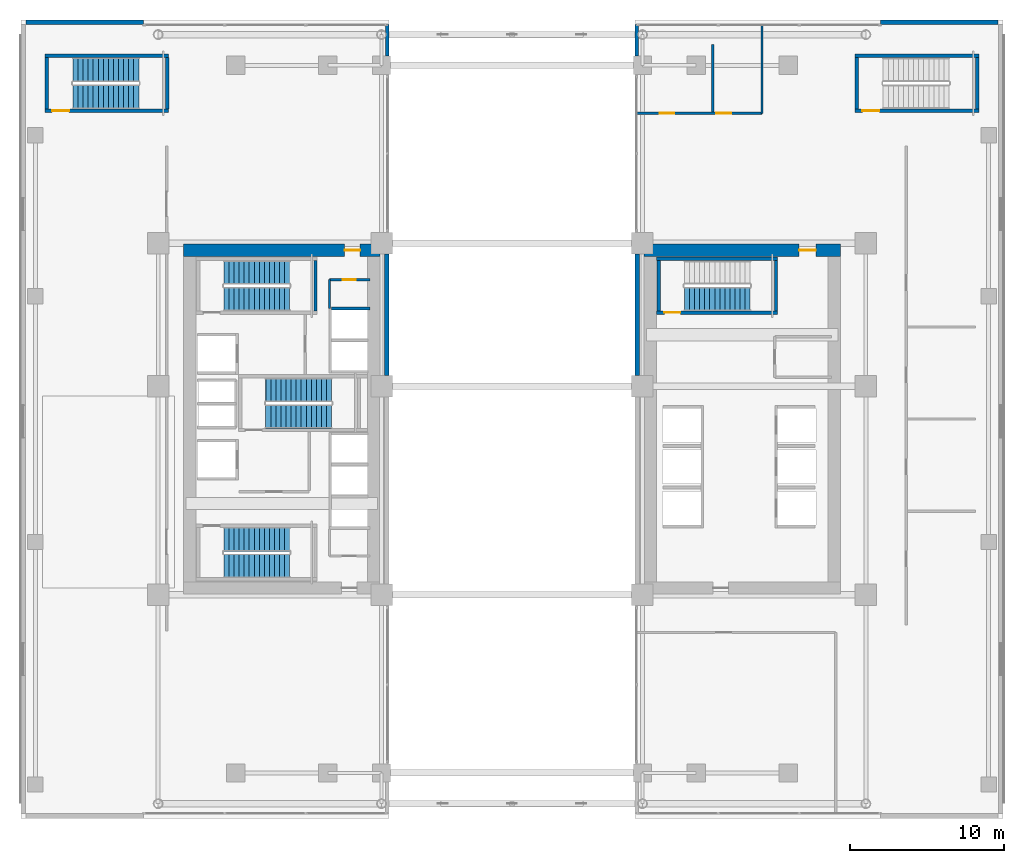
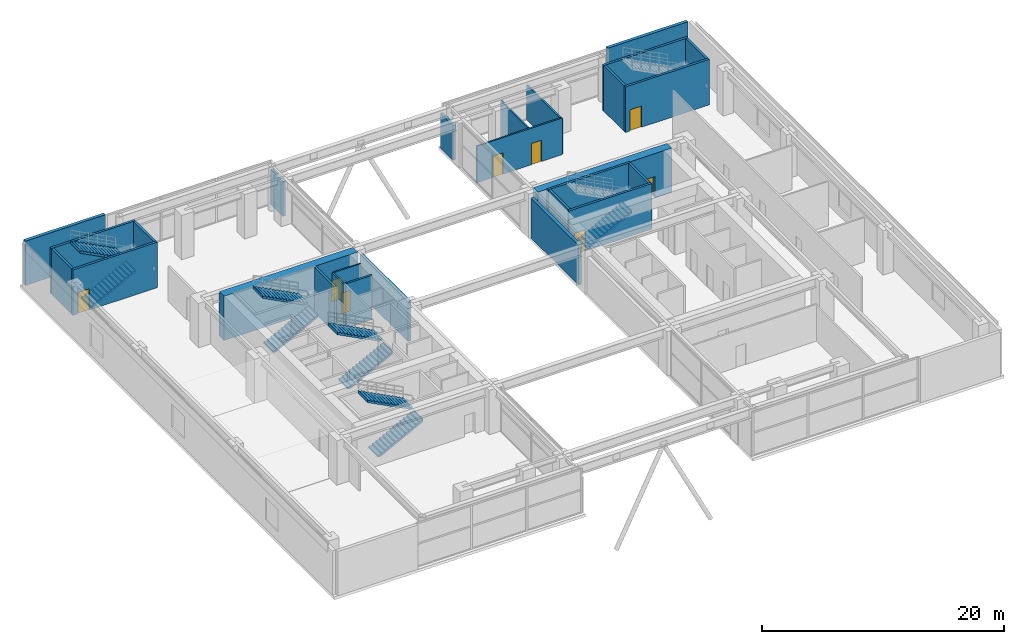
# One storey, part 24 of 30: 27 walls, 9 stair flights, 8 doors, 8 openings, 5 elements without a shape of their own.
"""IFC4 building model written with IfcOpenShell, lengths in metres."""

from ifc_helpers import new_model, si_unit, direction, frame, frame_2d, origin, place, context, subcontext, project, spatial, polyline, rectangle, outline, extrude, source, transform, mapped, material, layer, layer_set, type_object, element, fill, aggregate, save


model = new_model("IFC4")

# Units and contexts
model_context = context("Model", 3, precision=1e-05, world=origin(), true_north=direction((0.0, 1.0)))
body_context = subcontext(model_context, "Body", "Model", "MODEL_VIEW")
ifc_project = project(units=[si_unit("LENGTHUNIT", "METRE"), si_unit("AREAUNIT", "SQUARE_METRE"), si_unit("VOLUMEUNIT", "CUBIC_METRE"), si_unit("PLANEANGLEUNIT", "RADIAN"), si_unit("MASSUNIT", "GRAM", prefix="KILO")], contexts=[model_context])

# Site, building, storey
site_placement = place(None, origin())
site = spatial("IfcSite", under=ifc_project, at=site_placement, CompositionType="ELEMENT")
building_placement = place(site_placement, origin())
building = spatial("IfcBuilding", under=site, at=building_placement, Name="Ocotamira Hotel", CompositionType="ELEMENT")
storey_placement = place(building_placement, frame((0.0, 0.0, 19.199951171875)))
storey = spatial("IfcBuildingStorey", under=building, at=storey_placement, Name="L04", CompositionType="ELEMENT", Elevation=19.199951171875)

# Wall, opening, door
ifc_material_1 = material(Name="Concrete C60/75", Category="concrete")
ifc_layer_1 = layer(ifc_material_1, 0.800048828125)
ifc_layer_set_1 = layer_set([ifc_layer_1], Name="Concrete C60/75")
wall_type_1 = type_object("IfcWallType", Name="WL-CORE-800", PredefinedType="SHEAR", material=ifc_layer_set_1)
wall_1_placement = place(storey_placement, frame((10.60009765625, 37.0, 0.0), z_axis=(0.0, 0.0, 1.0), x_axis=(1.0, 0.0, 0.0)))
wall_1 = element("IfcWall", 1, at=wall_1_placement, inside=storey, type_object=wall_type_1, Name="L04 Shear Core Wall WCORE-N", PredefinedType="SHEAR", context=body_context, shape_type="SweptSolid", body=[
    extrude(rectangle(XDim=12.7998046875, YDim=0.800048828125, at=frame_2d((6.39990234375, 0.0))), origin(), (0.0, 0.0, 1.0), 4.47998046875),
])
opening_1_placement = place(wall_1_placement, frame((10.5, 0.0, 0.0)))
opening_1 = element("IfcOpeningElement", 2, at=opening_1_placement, cuts=wall_1, Name="Opening D-FR2", PredefinedType="OPENING", context=body_context, shape_type="SweptSolid", body=[
    extrude(rectangle(XDim=1.0, YDim=2.14990234375, at=frame_2d((0.5, 1.074951171875))), frame((0.0, 0.41015625, 0.0), z_axis=(0.0, -1.0, 0.0), x_axis=(1.0, 0.0, 0.0)), (0.0, 0.0, 1.0), 0.820068359375),
])
ifc_material_2 = material(Name="Fire-rated acoustic timber-veneer door", Category="wood")
door_type_1 = type_object("IfcDoorType", Name="DR-FIRE-1000", OperationType="NOTDEFINED", PredefinedType="DOOR", material=ifc_material_2)
shared_shape_1 = source(origin(), body_context, "Body", "SweptSolid", [
    extrude(rectangle(XDim=1.0, YDim=2.14990234375, at=frame_2d((0.5, 1.074951171875))), frame((0.0, 0.02490234375, 0.0), z_axis=(0.0, -1.0, 0.0), x_axis=(1.0, 0.0, 0.0)), (0.0, 0.0, 1.0), 0.050048828125),
])
door_1_placement = place(opening_1_placement, origin())
door_1 = element("IfcDoor", 3, at=door_1_placement, inside=storey, type_object=door_type_1, Name="L04 Door ID-L04-WLOB-N-D [ID-L04-WLOB-N-D]", OperationType="SINGLE_SWING_RIGHT", OverallHeight=2.14990234375, OverallWidth=1.0, PredefinedType="DOOR", context=body_context, shape_type="MappedRepresentation", body=[
    mapped(shared_shape_1, transform((0.0, 0.0, 0.0), scale=1.0)),
])
fill(opening_1, door_1)

wall_2_placement = place(storey_placement, frame((40.60009765625, 37.0, 0.0), z_axis=(0.0, 0.0, 1.0), x_axis=(1.0, 0.0, 0.0)))
wall_2 = element("IfcWall", 4, at=wall_2_placement, inside=storey, type_object=wall_type_1, Name="L04 Shear Core Wall ECORE-N", PredefinedType="SHEAR", context=body_context, shape_type="SweptSolid", body=[
    extrude(rectangle(XDim=12.7998046875, YDim=0.800048828125, at=frame_2d((6.39990234375, 0.0))), origin(), (0.0, 0.0, 1.0), 4.47998046875),
])
opening_2_placement = place(wall_2_placement, frame((10.10009765625, 0.0, 0.0)))
opening_2 = element("IfcOpeningElement", 5, at=opening_2_placement, cuts=wall_2, Name="Opening D-FR1", PredefinedType="OPENING", context=body_context, shape_type="SweptSolid", body=[
    extrude(rectangle(XDim=1.10009765625, YDim=2.14990234375, at=frame_2d((0.550048828125, 1.074951171875))), frame((0.0, 0.41015625, 0.0), z_axis=(0.0, -1.0, 0.0), x_axis=(1.0, 0.0, 0.0)), (0.0, 0.0, 1.0), 0.820068359375),
])
door_type_2 = type_object("IfcDoorType", Name="DR-FIRE-1100", OperationType="NOTDEFINED", PredefinedType="DOOR", material=ifc_material_2)
shared_shape_2 = source(origin(), body_context, "Body", "SweptSolid", [
    extrude(rectangle(XDim=1.10009765625, YDim=2.14990234375, at=frame_2d((0.550048828125, 1.074951171875))), frame((0.0, 0.02490234375, 0.0), z_axis=(0.0, -1.0, 0.0), x_axis=(1.0, 0.0, 0.0)), (0.0, 0.0, 1.0), 0.050048828125),
])
door_2_placement = place(opening_2_placement, origin())
door_2 = element("IfcDoor", 6, at=door_2_placement, inside=storey, type_object=door_type_2, Name="L04 Door ID-L04-ELOB-N-D [ID-L04-ELOB-N-D]", OperationType="SINGLE_SWING_LEFT", OverallHeight=2.14990234375, OverallWidth=1.10009765625, PredefinedType="DOOR", context=body_context, shape_type="MappedRepresentation", body=[
    mapped(shared_shape_2, transform((0.0, 0.0, 0.0), scale=1.0)),
])
fill(opening_2, door_2)

# Walls
ifc_material_3 = material(Name="Travertine-clad precast concrete C45/55", Category="masonry")
ifc_layer_2 = layer(ifc_material_3, 0.300048828125)
ifc_layer_set_2 = layer_set([ifc_layer_2], Name="Travertine-clad precast concrete C45/55")
wall_type_2 = type_object("IfcWallType", Name="WL-EXT-POD-300", PredefinedType="SOLIDWALL", material=ifc_layer_set_2)
for number, where, z_axis, x_axis, name in (
    (7, (0.35009765625, 51.85009765625, 0.0), (0.0, 0.0, 1.0), (1.0, 0.0, 0.0), "L04 N-West Podium Wall"),
    (8, (56.0, 51.85009765625, 0.0), (0.0, 0.0, 1.0), (1.0, 0.0, 0.0), "L04 N-East Podium Wall"),
):
    element("IfcWall", number, at=place(storey_placement, frame(where, z_axis=z_axis, x_axis=x_axis)), inside=storey, type_object=wall_type_2, Name=name, PredefinedType="SOLIDWALL", context=body_context, shape_type="SweptSolid", body=[
        extrude(rectangle(XDim=7.64990234375, YDim=0.300048828125, at=frame_2d((3.824951171875, 0.0))), origin(), (0.0, 0.0, 1.0), 4.47998046875),
    ])
wall_3_placement = place(storey_placement, frame((23.8798828125, 49.64990234375, 0.0), z_axis=(0.0, 0.0, 1.0), x_axis=(0.0, 1.0, 0.0)))
element("IfcWall", 9, at=wall_3_placement, inside=storey, type_object=wall_type_2, Name="L04 Giant Arch North Corner Cheek Wall AW", PredefinedType="SOLIDWALL", context=body_context, shape_type="SweptSolid", body=[
    extrude(rectangle(XDim=2.050048828125, YDim=0.239990234375, at=frame_2d((1.02490234375, 0.0))), origin(), (0.0, 0.0, 1.0), 3.531982421875),
])
wall_4_placement = place(storey_placement, frame((23.85009765625, 28.85009765625, 0.0), z_axis=(0.0, 0.0, 1.0), x_axis=(0.0, 1.0, 0.0)))
element("IfcWall", 10, at=wall_4_placement, inside=storey, type_object=wall_type_2, Name="L04 Giant Arch Core Cheek Wall AW-2", PredefinedType="SOLIDWALL", context=body_context, shape_type="SweptSolid", body=[
    extrude(rectangle(XDim=7.89990234375, YDim=0.300048828125, at=frame_2d((3.949951171875, 0.0))), origin(), (0.0, 0.0, 1.0), 4.02294921875),
])
wall_5_placement = place(storey_placement, frame((40.1201171875, 49.64990234375, 0.0), z_axis=(0.0, 0.0, 1.0), x_axis=(0.0, 1.0, 0.0)))
element("IfcWall", 11, at=wall_5_placement, inside=storey, type_object=wall_type_2, Name="L04 Giant Arch North Corner Cheek Wall AE", PredefinedType="SOLIDWALL", context=body_context, shape_type="SweptSolid", body=[
    extrude(rectangle(XDim=2.050048828125, YDim=0.239990234375, at=frame_2d((1.02490234375, 0.0))), origin(), (0.0, 0.0, 1.0), 3.531982421875),
])
wall_6_placement = place(storey_placement, frame((40.14990234375, 28.85009765625, 0.0), z_axis=(0.0, 0.0, 1.0), x_axis=(0.0, 1.0, 0.0)))
element("IfcWall", 12, at=wall_6_placement, inside=storey, type_object=wall_type_2, Name="L04 Giant Arch Core Cheek Wall AE-2", PredefinedType="SOLIDWALL", context=body_context, shape_type="SweptSolid", body=[
    extrude(rectangle(XDim=7.89990234375, YDim=0.300048828125, at=frame_2d((3.949951171875, 0.0))), origin(), (0.0, 0.0, 1.0), 4.02294921875),
])
ifc_material_4 = material(Name="Acoustic hospitality gypsum board partition", Category="gypsum")
ifc_layer_3 = layer(ifc_material_4, 0.14208984375)
ifc_layer_set_3 = layer_set([ifc_layer_3], Name="Acoustic hospitality gypsum board partition")
wall_type_3 = type_object("IfcWallType", Name="WL-PART-142", PredefinedType="PARTITIONING", material=ifc_layer_set_3)
wall_7_placement = place(storey_placement, frame((20.1201171875, 33.219970703125, 0.0), z_axis=(0.0, 0.0, 1.0), x_axis=(0.0, 1.0, 0.0)))
element("IfcWall", 13, at=wall_7_placement, inside=storey, type_object=wall_type_3, Name="L04 Interior Wall PW-L04-WC-NE-W2", PredefinedType="PARTITIONING", context=body_context, shape_type="SweptSolid", body=[
    extrude(rectangle(XDim=1.860107421875, YDim=0.14208984375, at=frame_2d((0.93017578125, 0.0))), origin(), (0.0, 0.0, 1.0), 4.47998046875),
])

# Wall, opening, door
wall_8_placement = place(storey_placement, frame((20.1201171875, 35.080078125, 0.0), z_axis=(0.0, 0.0, 1.0), x_axis=(1.0, 0.0, 0.0)))
wall_8 = element("IfcWall", 14, at=wall_8_placement, inside=storey, type_object=wall_type_3, Name="L04 Interior Wall PW-L04-WC-NE-N2", PredefinedType="PARTITIONING", context=body_context, shape_type="SweptSolid", body=[
    extrude(rectangle(XDim=2.6298828125, YDim=0.14208984375, at=frame_2d((1.31494140625, 0.0))), origin(), (0.0, 0.0, 1.0), 4.47998046875),
])
opening_3_placement = place(wall_8_placement, frame((0.85009765625, 0.0, 0.0)))
opening_3 = element("IfcOpeningElement", 15, at=opening_3_placement, cuts=wall_8, Name="Opening D-SV1", PredefinedType="OPENING", context=body_context, shape_type="SweptSolid", body=[
    extrude(rectangle(XDim=0.840087890625, YDim=2.10009765625, at=frame_2d((0.419921875, 1.050048828125))), frame((0.0, 0.0810546875, 0.0), z_axis=(0.0, -1.0, 0.0), x_axis=(1.0, 0.0, 0.0)), (0.0, 0.0, 1.0), 0.162109375),
])
ifc_material_5 = material(Name="Fire-rated painted steel service door", Category="steel")
door_type_3 = type_object("IfcDoorType", Name="DR-SERV-840", OperationType="NOTDEFINED", PredefinedType="DOOR", material=ifc_material_5)
shared_shape_3 = source(origin(), body_context, "Body", "SweptSolid", [
    extrude(rectangle(XDim=0.840087890625, YDim=2.10009765625, at=frame_2d((0.419921875, 1.050048828125))), frame((0.0, 0.02490234375, 0.0), z_axis=(0.0, -1.0, 0.0), x_axis=(1.0, 0.0, 0.0)), (0.0, 0.0, 1.0), 0.050048828125),
])
door_3_placement = place(opening_3_placement, origin())
door_3 = element("IfcDoor", 16, at=door_3_placement, inside=storey, type_object=door_type_3, Name="L04 Door ID-L04-WC-NE-D2 [ID-L04-WC-NE-D2]", OperationType="SINGLE_SWING_RIGHT", OverallHeight=2.10009765625, OverallWidth=0.840087890625, PredefinedType="DOOR", context=body_context, shape_type="MappedRepresentation", body=[
    mapped(shared_shape_3, transform((0.0, 0.0, 0.0), scale=1.0)),
])
fill(opening_3, door_3)

# Walls
ifc_layer_4 = layer(ifc_material_4, 0.14990234375)
ifc_layer_set_4 = layer_set([ifc_layer_4], Name="Acoustic hospitality gypsum board partition")
wall_type_4 = type_object("IfcWallType", Name="WL-PART-150", PredefinedType="PARTITIONING", material=ifc_layer_set_4)
wall_9_placement = place(storey_placement, frame((45.080078125, 46.0, 0.0), z_axis=(0.0, 0.0, 1.0), x_axis=(0.0, 1.0, 0.0)))
element("IfcWall", 17, at=wall_9_placement, inside=storey, type_object=wall_type_4, Name="L04 Interior Wall PW-L04-L04-EWCDIV", PredefinedType="PARTITIONING", context=body_context, shape_type="SweptSolid", body=[
    extrude(rectangle(XDim=4.39990234375, YDim=0.14990234375, at=frame_2d((2.199951171875, 0.0))), origin(), (0.0, 0.0, 1.0), 3.787109375),
])
wall_10_placement = place(storey_placement, frame((48.280029296875, 45.919921875, 0.0), z_axis=(0.0, 0.0, 1.0), x_axis=(0.0, 1.0, 0.0)))
element("IfcWall", 18, at=wall_10_placement, inside=storey, type_object=wall_type_4, Name="L04 Interior Wall PW-L04-L04-EWCE", PredefinedType="PARTITIONING", context=body_context, shape_type="SweptSolid", body=[
    extrude(rectangle(XDim=5.760009765625, YDim=0.14990234375, at=frame_2d((2.8798828125, 0.0))), origin(), (0.0, 0.0, 1.0), 3.552978515625),
])

# Wall, openings, doors
wall_11_placement = place(storey_placement, frame((40.1201171875, 45.919921875, 0.0), z_axis=(0.0, 0.0, 1.0), x_axis=(1.0, 0.0, 0.0)))
wall_11 = element("IfcWall", 19, at=wall_11_placement, inside=storey, type_object=wall_type_4, Name="L04 Interior Wall PW-L04-L04-EWCS", PredefinedType="PARTITIONING", context=body_context, shape_type="SweptSolid", body=[
    extrude(rectangle(XDim=8.159912109375, YDim=0.14990234375, at=frame_2d((4.080078125, 0.0))), origin(), (0.0, 0.0, 1.0), 3.700927734375),
])
opening_4_placement = place(wall_11_placement, frame((1.5, 0.0, 0.0)))
opening_4 = element("IfcOpeningElement", 20, at=opening_4_placement, cuts=wall_11, Name="Opening D-SV4", PredefinedType="OPENING", context=body_context, shape_type="SweptSolid", body=[
    extrude(rectangle(XDim=0.9599609375, YDim=2.14990234375, at=frame_2d((0.47998046875, 1.074951171875))), frame((0.0, 0.0849609375, 0.0), z_axis=(0.0, -1.0, 0.0), x_axis=(1.0, 0.0, 0.0)), (0.0, 0.0, 1.0), 0.169921875),
])
opening_5_placement = place(wall_11_placement, frame((5.199951171875, 0.0, 0.0)))
opening_5 = element("IfcOpeningElement", 21, at=opening_5_placement, cuts=wall_11, Name="Opening D-SV4", PredefinedType="OPENING", context=body_context, shape_type="SweptSolid", body=[
    extrude(rectangle(XDim=0.9599609375, YDim=2.14990234375, at=frame_2d((0.47998046875, 1.074951171875))), frame((0.0, 0.0849609375, 0.0), z_axis=(0.0, -1.0, 0.0), x_axis=(1.0, 0.0, 0.0)), (0.0, 0.0, 1.0), 0.169921875),
])
ifc_material_6 = material(Name="Fire-rated accessible walnut salon door", Category="wood")
door_type_4 = type_object("IfcDoorType", Name="DR-SERV-960", OperationType="NOTDEFINED", PredefinedType="DOOR", material=ifc_material_6)
shared_shape_4 = source(origin(), body_context, "Body", "SweptSolid", [
    extrude(rectangle(XDim=0.9599609375, YDim=2.14990234375, at=frame_2d((0.47998046875, 1.074951171875))), frame((0.0, 0.02490234375, 0.0), z_axis=(0.0, -1.0, 0.0), x_axis=(1.0, 0.0, 0.0)), (0.0, 0.0, 1.0), 0.050048828125),
])
door_4_placement = place(opening_4_placement, origin())
door_4 = element("IfcDoor", 22, at=door_4_placement, inside=storey, type_object=door_type_4, Name="L04 Door ID-L04-L04-EWCD1 [ID-L04-L04-EWCD1]", OperationType="SINGLE_SWING_LEFT", OverallHeight=2.14990234375, OverallWidth=0.9599609375, PredefinedType="DOOR", context=body_context, shape_type="MappedRepresentation", body=[
    mapped(shared_shape_4, transform((0.0, 0.0, 0.0), scale=1.0)),
])
fill(opening_4, door_4)
door_5_placement = place(opening_5_placement, origin())
door_5 = element("IfcDoor", 23, at=door_5_placement, inside=storey, type_object=door_type_4, Name="L04 Door ID-L04-L04-EAWCD [ID-L04-L04-EAWCD]", OperationType="SINGLE_SWING_RIGHT", OverallHeight=2.14990234375, OverallWidth=0.9599609375, PredefinedType="DOOR", context=body_context, shape_type="MappedRepresentation", body=[
    mapped(shared_shape_4, transform((0.0, 0.0, 0.0), scale=1.0)),
])
fill(opening_5, door_5)

# Walls
ifc_material_7 = material(Name="Fire-rated gypsum shaftliner board assembly", Category="gypsum")
ifc_layer_5 = layer(ifc_material_7, 0.179931640625)
ifc_layer_set_5 = layer_set([ifc_layer_5], Name="Fire-rated gypsum shaftliner board assembly")
wall_type_5 = type_object("IfcWallType", Name="WL-SHAFT-180", PredefinedType="SOLIDWALL", material=ifc_layer_set_5)
wall_12_placement = place(storey_placement, frame((20.25, 33.199951171875, 0.0), z_axis=(0.0, 0.0, 1.0), x_axis=(1.0, 0.0, 0.0)))
element("IfcWall", 24, at=wall_12_placement, inside=storey, type_object=wall_type_5, Name="L04 Interior Wall PW-L04-LFW-BANK-obs-N", PredefinedType="SOLIDWALL", context=body_context, shape_type="SweptSolid", body=[
    extrude(rectangle(XDim=2.5, YDim=0.179931640625, at=frame_2d((1.25, 0.0))), origin(), (0.0, 0.0, 1.0), 4.47998046875),
])
ifc_material_8 = material(Name="Concrete C50/60", Category="concrete")
ifc_layer_6 = layer(ifc_material_8, 0.219970703125)
ifc_layer_set_6 = layer_set([ifc_layer_6], Name="Concrete C50/60")
wall_type_6 = type_object("IfcWallType", Name="WL-STAIR-220", PredefinedType="SHEAR", material=ifc_layer_set_6)
wall_13_placement = place(storey_placement, frame((19.199951171875, 33.050048828125, 0.0), z_axis=(0.0, 0.0, 1.0), x_axis=(0.0, 1.0, 0.0)))
element("IfcWall", 25, at=wall_13_placement, inside=storey, type_object=wall_type_6, Name="L04 Stair Shaft Structural Wall ST-2-E", PredefinedType="SHEAR", context=body_context, shape_type="SweptSolid", body=[
    extrude(rectangle(XDim=3.280029296875, YDim=0.219970703125, at=frame_2d((1.64013671875, 0.0))), origin(), (0.0, 0.0, 1.0), 4.60009765625),
])

# Wall, opening, door
wall_14_placement = place(storey_placement, frame((41.39990234375, 32.93994140625, 0.0), z_axis=(0.0, 0.0, 1.0), x_axis=(1.0, 0.0, 0.0)))
wall_14 = element("IfcWall", 26, at=wall_14_placement, inside=storey, type_object=wall_type_6, Name="L04 Stair Shaft Structural Wall ST-4-S", PredefinedType="SHEAR", context=body_context, shape_type="SweptSolid", body=[
    extrude(rectangle(XDim=7.91015625, YDim=0.219970703125, at=frame_2d((3.955078125, 0.0))), origin(), (0.0, 0.0, 1.0), 4.60009765625),
])
opening_6_placement = place(wall_14_placement, frame((0.52001953125, 0.0, 0.0)))
opening_6 = element("IfcOpeningElement", 27, at=opening_6_placement, cuts=wall_14, Name="Opening D-ST2", PredefinedType="OPENING", context=body_context, shape_type="SweptSolid", body=[
    extrude(rectangle(XDim=1.050048828125, YDim=2.14990234375, at=frame_2d((0.52490234375, 1.074951171875))), frame((0.0, 0.1201171875, 0.0), z_axis=(0.0, -1.0, 0.0), x_axis=(1.0, 0.0, 0.0)), (0.0, 0.0, 1.0), 0.239990234375),
])
ifc_material_9 = material(Name="Insulated painted hollow-metal fire exit door", Category="steel")
door_type_5 = type_object("IfcDoorType", Name="DR-STAIR-1050", OperationType="NOTDEFINED", PredefinedType="DOOR", material=ifc_material_9)
shared_shape_5 = source(origin(), body_context, "Body", "SweptSolid", [
    extrude(rectangle(XDim=1.050048828125, YDim=2.14990234375, at=frame_2d((0.52490234375, 1.074951171875))), frame((0.0, 0.02490234375, 0.0), z_axis=(0.0, -1.0, 0.0), x_axis=(1.0, 0.0, 0.0)), (0.0, 0.0, 1.0), 0.050048828125),
])
door_6_placement = place(opening_6_placement, origin())
door_6 = element("IfcDoor", 28, at=door_6_placement, inside=storey, type_object=door_type_5, Name="L04 Door ID-L04-STD-ST-4 [ID-L04-STD-ST-4]", OperationType="SINGLE_SWING_RIGHT", OverallHeight=2.14990234375, OverallWidth=1.050048828125, PredefinedType="DOOR", context=body_context, shape_type="MappedRepresentation", body=[
    mapped(shared_shape_5, transform((0.0, 0.0, 0.0), scale=1.0)),
])
fill(opening_6, door_6)

# Walls
wall_15_placement = place(storey_placement, frame((41.39990234375, 36.43994140625, 0.0), z_axis=(0.0, 0.0, 1.0), x_axis=(1.0, 0.0, 0.0)))
element("IfcWall", 29, at=wall_15_placement, inside=storey, type_object=wall_type_6, Name="L04 Stair Shaft Structural Wall ST-4-N", PredefinedType="SHEAR", context=body_context, shape_type="SweptSolid", body=[
    extrude(rectangle(XDim=7.91015625, YDim=0.219970703125, at=frame_2d((3.955078125, 0.0))), origin(), (0.0, 0.0, 1.0), 4.60009765625),
])
for number, where, z_axis, x_axis, name in (
    (30, (41.56005859375, 33.050048828125, 0.0), (0.0, 0.0, 1.0), (0.0, 1.0, 0.0), "L04 Stair Shaft Structural Wall ST-4-W"),
    (31, (49.199951171875, 33.050048828125, 0.0), (0.0, 0.0, 1.0), (0.0, 1.0, 0.0), "L04 Stair Shaft Structural Wall ST-4-E"),
):
    element("IfcWall", number, at=place(storey_placement, frame(where, z_axis=z_axis, x_axis=x_axis)), inside=storey, type_object=wall_type_6, Name=name, PredefinedType="SHEAR", context=body_context, shape_type="SweptSolid", body=[
        extrude(rectangle(XDim=3.280029296875, YDim=0.219970703125, at=frame_2d((1.64013671875, 0.0))), origin(), (0.0, 0.0, 1.0), 4.60009765625),
    ])

# Wall, opening, door
wall_16_placement = place(storey_placement, frame((1.580078125, 46.090087890625, 0.0), z_axis=(0.0, 0.0, 1.0), x_axis=(1.0, 0.0, 0.0)))
wall_16 = element("IfcWall", 32, at=wall_16_placement, inside=storey, type_object=wall_type_6, Name="L04 Stair Shaft Structural Wall ST-5-S", PredefinedType="SHEAR", context=body_context, shape_type="SweptSolid", body=[
    extrude(rectangle(XDim=8.059814453125, YDim=0.219970703125, at=frame_2d((4.02978515625, 0.0))), origin(), (0.0, 0.0, 1.0), 4.60009765625),
])
opening_7_placement = place(wall_16_placement, frame((0.469970703125, 0.0, 0.0)))
opening_7 = element("IfcOpeningElement", 33, at=opening_7_placement, cuts=wall_16, Name="Opening D-ST1", PredefinedType="OPENING", context=body_context, shape_type="SweptSolid", body=[
    extrude(rectangle(XDim=1.10009765625, YDim=2.14990234375, at=frame_2d((0.550048828125, 1.074951171875))), frame((0.0, 0.1201171875, 0.0), z_axis=(0.0, -1.0, 0.0), x_axis=(1.0, 0.0, 0.0)), (0.0, 0.0, 1.0), 0.239990234375),
])
door_type_6 = type_object("IfcDoorType", Name="DR-STAIR-1100", OperationType="NOTDEFINED", PredefinedType="DOOR", material=ifc_material_9)
door_7_placement = place(opening_7_placement, origin())
door_7 = element("IfcDoor", 34, at=door_7_placement, inside=storey, type_object=door_type_6, Name="L04 Door ID-L04-STD-ST-5 [ID-L04-STD-ST-5]", OperationType="SINGLE_SWING_LEFT", OverallHeight=2.14990234375, OverallWidth=1.10009765625, PredefinedType="DOOR", context=body_context, shape_type="MappedRepresentation", body=[
    mapped(shared_shape_2, transform((0.0, 0.0, 0.0), scale=1.0)),
])
fill(opening_7, door_7)

# Walls
wall_17_placement = place(storey_placement, frame((1.580078125, 49.669921875, 0.0), z_axis=(0.0, 0.0, 1.0), x_axis=(1.0, 0.0, 0.0)))
element("IfcWall", 35, at=wall_17_placement, inside=storey, type_object=wall_type_6, Name="L04 Stair Shaft Structural Wall ST-5-N", PredefinedType="SHEAR", context=body_context, shape_type="SweptSolid", body=[
    extrude(rectangle(XDim=8.059814453125, YDim=0.219970703125, at=frame_2d((4.02978515625, 0.0))), origin(), (0.0, 0.0, 1.0), 4.60009765625),
])
for number, where, z_axis, x_axis, name in (
    (36, (1.68994140625, 46.199951171875, 0.0), (0.0, 0.0, 1.0), (0.0, 1.0, 0.0), "L04 Stair Shaft Structural Wall ST-5-W"),
    (37, (9.530029296875, 46.199951171875, 0.0), (0.0, 0.0, 1.0), (0.0, 1.0, 0.0), "L04 Stair Shaft Structural Wall ST-5-E"),
):
    element("IfcWall", number, at=place(storey_placement, frame(where, z_axis=z_axis, x_axis=x_axis)), inside=storey, type_object=wall_type_6, Name=name, PredefinedType="SHEAR", context=body_context, shape_type="SweptSolid", body=[
        extrude(rectangle(XDim=3.360107421875, YDim=0.219970703125, at=frame_2d((1.68017578125, 0.0))), origin(), (0.0, 0.0, 1.0), 4.60009765625),
    ])

# Wall, opening, door
wall_18_placement = place(storey_placement, frame((54.360107421875, 46.090087890625, 0.0), z_axis=(0.0, 0.0, 1.0), x_axis=(1.0, 0.0, 0.0)))
wall_18 = element("IfcWall", 38, at=wall_18_placement, inside=storey, type_object=wall_type_6, Name="L04 Stair Shaft Structural Wall ST-6-S", PredefinedType="SHEAR", context=body_context, shape_type="SweptSolid", body=[
    extrude(rectangle(XDim=8.059814453125, YDim=0.219970703125, at=frame_2d((4.02978515625, 0.0))), origin(), (0.0, 0.0, 1.0), 4.60009765625),
])
opening_8_placement = place(wall_18_placement, frame((0.469970703125, 0.0, 0.0)))
opening_8 = element("IfcOpeningElement", 39, at=opening_8_placement, cuts=wall_18, Name="Opening D-ST1", PredefinedType="OPENING", context=body_context, shape_type="SweptSolid", body=[
    extrude(rectangle(XDim=1.10009765625, YDim=2.14990234375, at=frame_2d((0.550048828125, 1.074951171875))), frame((0.0, 0.1201171875, 0.0), z_axis=(0.0, -1.0, 0.0), x_axis=(1.0, 0.0, 0.0)), (0.0, 0.0, 1.0), 0.239990234375),
])
door_8_placement = place(opening_8_placement, origin())
door_8 = element("IfcDoor", 40, at=door_8_placement, inside=storey, type_object=door_type_6, Name="L04 Door ID-L04-STD-ST-6 [ID-L04-STD-ST-6]", OperationType="SINGLE_SWING_RIGHT", OverallHeight=2.14990234375, OverallWidth=1.10009765625, PredefinedType="DOOR", context=body_context, shape_type="MappedRepresentation", body=[
    mapped(shared_shape_2, transform((0.0, 0.0, 0.0), scale=1.0)),
])
fill(opening_8, door_8)

# Walls
wall_19_placement = place(storey_placement, frame((54.360107421875, 49.669921875, 0.0), z_axis=(0.0, 0.0, 1.0), x_axis=(1.0, 0.0, 0.0)))
element("IfcWall", 41, at=wall_19_placement, inside=storey, type_object=wall_type_6, Name="L04 Stair Shaft Structural Wall ST-6-N", PredefinedType="SHEAR", context=body_context, shape_type="SweptSolid", body=[
    extrude(rectangle(XDim=8.059814453125, YDim=0.219970703125, at=frame_2d((4.02978515625, 0.0))), origin(), (0.0, 0.0, 1.0), 4.60009765625),
])
for number, where, z_axis, x_axis, name in (
    (42, (54.469970703125, 46.199951171875, 0.0), (0.0, 0.0, 1.0), (0.0, 1.0, 0.0), "L04 Stair Shaft Structural Wall ST-6-W"),
    (43, (62.31005859375, 46.199951171875, 0.0), (0.0, 0.0, 1.0), (0.0, 1.0, 0.0), "L04 Stair Shaft Structural Wall ST-6-E"),
):
    element("IfcWall", number, at=place(storey_placement, frame(where, z_axis=z_axis, x_axis=x_axis)), inside=storey, type_object=wall_type_6, Name=name, PredefinedType="SHEAR", context=body_context, shape_type="SweptSolid", body=[
        extrude(rectangle(XDim=3.360107421875, YDim=0.219970703125, at=frame_2d((1.68017578125, 0.0))), origin(), (0.0, 0.0, 1.0), 4.60009765625),
    ])

# Stair, stair flights
ifc_material_10 = material(Name="Concrete C40/50", Category="concrete")
stair_type_1 = type_object("IfcStairType", Name="ST-CORE-1560", PredefinedType="HALF_TURN_STAIR", material=ifc_material_10)
stair_1_placement = place(storey_placement, origin())
stair_1 = element("IfcStair", 44, at=stair_1_placement, inside=storey, type_object=stair_type_1, Name="L04 Exit Stair ST-1", PredefinedType="HALF_TURN_STAIR")
stair_flight_type_1 = type_object("IfcStairFlightType", Name="STF-CORE-1560", PredefinedType="STRAIGHT", material=ifc_material_10)
shared_shape_6 = source(origin(), body_context, "Body", "SweptSolid", [
    extrude(outline(polyline([(-0.00390625, 0.0), (-0.00390625, 0.17138671875), (0.330078125, 0.17138671875), (0.330078125, 0.3427734375), (0.659912109375, 0.3427734375), (0.659912109375, 0.514404296875), (0.989990234375, 0.514404296875), (0.989990234375, 0.685791015625), (1.320068359375, 0.685791015625), (1.320068359375, 0.857177734375), (1.64990234375, 0.857177734375), (1.64990234375, 1.028564453125), (1.97998046875, 1.028564453125), (1.97998046875, 1.199951171875), (2.31005859375, 1.199951171875), (2.31005859375, 1.371337890625), (2.639892578125, 1.371337890625), (2.639892578125, 1.54296875), (2.969970703125, 1.54296875), (2.969970703125, 1.71435546875), (3.300048828125, 1.71435546875), (3.300048828125, 1.8857421875), (3.6298828125, 1.8857421875), (3.6298828125, 2.05712890625), (3.9599609375, 2.05712890625), (3.9599609375, 2.228515625), (4.2900390625, 2.228515625), (4.2900390625, 2.39990234375), (4.2939453125, 2.39990234375), (4.2939453125, 2.0595703125), (0.3251953125, 0.0), (-0.00390625, 0.0)])), frame((0.0, 0.780029296875, 0.0), z_axis=(0.0, -1.0, 0.0), x_axis=(1.0, 0.0, 0.0)), (0.0, 0.0, 1.0), 1.56005859375),
])
stair_flight_1_placement = place(storey_placement, frame((13.22998046875, 16.449951171875, 0.0), z_axis=(0.0, 0.0, 1.0), x_axis=(1.0, 0.0, 0.0)))
stair_flight_1 = element("IfcStairFlight", 45, at=stair_flight_1_placement, type_object=stair_flight_type_1, Name="ST-1 flight 1", NumberOfRisers=14, NumberOfTreads=13, PredefinedType="STRAIGHT", RiserHeight=0.171428571, TreadLength=0.33, context=body_context, shape_type="MappedRepresentation", body=[
    mapped(shared_shape_6, transform((0.0, 0.0, 0.0), scale=1.0)),
])
stair_flight_2_placement = place(storey_placement, frame((17.52001953125, 18.169921875, 2.400146484375), z_axis=(0.0, 0.0, 1.0), x_axis=(-1.0, 0.0, 0.0)))
stair_flight_2 = element("IfcStairFlight", 46, at=stair_flight_2_placement, type_object=stair_flight_type_1, Name="ST-1 flight 2", NumberOfRisers=14, NumberOfTreads=13, PredefinedType="STRAIGHT", RiserHeight=0.171428571, TreadLength=0.33, context=body_context, shape_type="MappedRepresentation", body=[
    mapped(shared_shape_6, transform((0.0, 0.0, 0.0), scale=1.0)),
])
aggregate(stair_1, [stair_flight_1, stair_flight_2])

stair_2_placement = place(storey_placement, origin())
stair_2 = element("IfcStair", 47, at=stair_2_placement, inside=storey, type_object=stair_type_1, Name="L04 Exit Stair ST-2", PredefinedType="HALF_TURN_STAIR")
stair_flight_3_placement = place(storey_placement, frame((13.22998046875, 33.830078125, 0.0), z_axis=(0.0, 0.0, 1.0), x_axis=(1.0, 0.0, 0.0)))
stair_flight_3 = element("IfcStairFlight", 48, at=stair_flight_3_placement, type_object=stair_flight_type_1, Name="ST-2 flight 1", NumberOfRisers=14, NumberOfTreads=13, PredefinedType="STRAIGHT", RiserHeight=0.171428571, TreadLength=0.33, context=body_context, shape_type="MappedRepresentation", body=[
    mapped(shared_shape_6, transform((0.0, 0.0, 0.0), scale=1.0)),
])
stair_flight_4_placement = place(storey_placement, frame((17.52001953125, 35.550048828125, 2.400146484375), z_axis=(0.0, 0.0, 1.0), x_axis=(-1.0, 0.0, 0.0)))
stair_flight_4 = element("IfcStairFlight", 49, at=stair_flight_4_placement, type_object=stair_flight_type_1, Name="ST-2 flight 2", NumberOfRisers=14, NumberOfTreads=13, PredefinedType="STRAIGHT", RiserHeight=0.171428571, TreadLength=0.33, context=body_context, shape_type="MappedRepresentation", body=[
    mapped(shared_shape_6, transform((0.0, 0.0, 0.0), scale=1.0)),
])
aggregate(stair_2, [stair_flight_3, stair_flight_4])

stair_3_placement = place(storey_placement, origin())
stair_3 = element("IfcStair", 50, at=stair_3_placement, inside=storey, type_object=stair_type_1, Name="L04 Exit Stair ST-3", PredefinedType="HALF_TURN_STAIR")
stair_flight_5_placement = place(storey_placement, frame((15.9599609375, 26.179931640625, 0.0), z_axis=(0.0, 0.0, 1.0), x_axis=(1.0, 0.0, 0.0)))
stair_flight_5 = element("IfcStairFlight", 51, at=stair_flight_5_placement, type_object=stair_flight_type_1, Name="ST-3 flight 1", NumberOfRisers=14, NumberOfTreads=13, PredefinedType="STRAIGHT", RiserHeight=0.171428571, TreadLength=0.33, context=body_context, shape_type="MappedRepresentation", body=[
    mapped(shared_shape_6, transform((0.0, 0.0, 0.0), scale=1.0)),
])
stair_flight_6_placement = place(storey_placement, frame((20.25, 27.89990234375, 2.400146484375), z_axis=(0.0, 0.0, 1.0), x_axis=(-1.0, 0.0, 0.0)))
stair_flight_6 = element("IfcStairFlight", 52, at=stair_flight_6_placement, type_object=stair_flight_type_1, Name="ST-3 flight 2", NumberOfRisers=14, NumberOfTreads=13, PredefinedType="STRAIGHT", RiserHeight=0.171428571, TreadLength=0.33, context=body_context, shape_type="MappedRepresentation", body=[
    mapped(shared_shape_6, transform((0.0, 0.0, 0.0), scale=1.0)),
])
aggregate(stair_3, [stair_flight_5, stair_flight_6])

# Stair, stair flight
stair_4_placement = place(storey_placement, origin())
stair_4 = element("IfcStair", 53, at=stair_4_placement, inside=storey, type_object=stair_type_1, Name="L04 Exit Stair ST-4", PredefinedType="HALF_TURN_STAIR")
stair_flight_7_placement = place(storey_placement, frame((43.22998046875, 33.830078125, 0.0), z_axis=(0.0, 0.0, 1.0), x_axis=(1.0, 0.0, 0.0)))
stair_flight_7 = element("IfcStairFlight", 54, at=stair_flight_7_placement, type_object=stair_flight_type_1, Name="ST-4 flight 1", NumberOfRisers=14, NumberOfTreads=13, PredefinedType="STRAIGHT", RiserHeight=0.171428571, TreadLength=0.33, context=body_context, shape_type="MappedRepresentation", body=[
    mapped(shared_shape_6, transform((0.0, 0.0, 0.0), scale=1.0)),
])
aggregate(stair_4, [stair_flight_7])

# Stair, stair flights
stair_type_2 = type_object("IfcStairType", Name="ST-POD-1600", PredefinedType="HALF_TURN_STAIR", material=ifc_material_10)
stair_5_placement = place(storey_placement, origin())
stair_5 = element("IfcStair", 55, at=stair_5_placement, inside=storey, type_object=stair_type_2, Name="L04 Exit Stair ST-5", PredefinedType="HALF_TURN_STAIR")
stair_flight_type_2 = type_object("IfcStairFlightType", Name="STF-POD-1600", PredefinedType="STRAIGHT", material=ifc_material_10)
shared_shape_7 = source(origin(), body_context, "Body", "SweptSolid", [
    extrude(outline(polyline([(-0.00390625, 0.0), (-0.00390625, 0.17138671875), (0.330078125, 0.17138671875), (0.330078125, 0.3427734375), (0.659912109375, 0.3427734375), (0.659912109375, 0.514404296875), (0.989990234375, 0.514404296875), (0.989990234375, 0.685791015625), (1.320068359375, 0.685791015625), (1.320068359375, 0.857177734375), (1.64990234375, 0.857177734375), (1.64990234375, 1.028564453125), (1.97998046875, 1.028564453125), (1.97998046875, 1.199951171875), (2.31005859375, 1.199951171875), (2.31005859375, 1.371337890625), (2.639892578125, 1.371337890625), (2.639892578125, 1.54296875), (2.969970703125, 1.54296875), (2.969970703125, 1.71435546875), (3.300048828125, 1.71435546875), (3.300048828125, 1.8857421875), (3.6298828125, 1.8857421875), (3.6298828125, 2.05712890625), (3.9599609375, 2.05712890625), (3.9599609375, 2.228515625), (4.2900390625, 2.228515625), (4.2900390625, 2.39990234375), (4.2939453125, 2.39990234375), (4.2939453125, 2.0595703125), (0.3251953125, 0.0), (-0.00390625, 0.0)])), frame((0.0, 0.800048828125, 0.0), z_axis=(0.0, -1.0, 0.0), x_axis=(1.0, 0.0, 0.0)), (0.0, 0.0, 1.0), 1.60009765625),
])
stair_flight_8_placement = place(storey_placement, frame((3.39990234375, 47.0, 0.0), z_axis=(0.0, 0.0, 1.0), x_axis=(1.0, 0.0, 0.0)))
stair_flight_8 = element("IfcStairFlight", 56, at=stair_flight_8_placement, type_object=stair_flight_type_2, Name="ST-5 flight 1", NumberOfRisers=14, NumberOfTreads=13, PredefinedType="STRAIGHT", RiserHeight=0.171428571, TreadLength=0.33, context=body_context, shape_type="MappedRepresentation", body=[
    mapped(shared_shape_7, transform((0.0, 0.0, 0.0), scale=1.0)),
])
stair_flight_9_placement = place(storey_placement, frame((7.68994140625, 48.760009765625, 2.400146484375), z_axis=(0.0, 0.0, 1.0), x_axis=(-1.0, 0.0, 0.0)))
stair_flight_9 = element("IfcStairFlight", 57, at=stair_flight_9_placement, type_object=stair_flight_type_2, Name="ST-5 flight 2", NumberOfRisers=14, NumberOfTreads=13, PredefinedType="STRAIGHT", RiserHeight=0.171428571, TreadLength=0.33, context=body_context, shape_type="MappedRepresentation", body=[
    mapped(shared_shape_7, transform((0.0, 0.0, 0.0), scale=1.0)),
])
aggregate(stair_5, [stair_flight_8, stair_flight_9])

save(model, "model.ifc")
